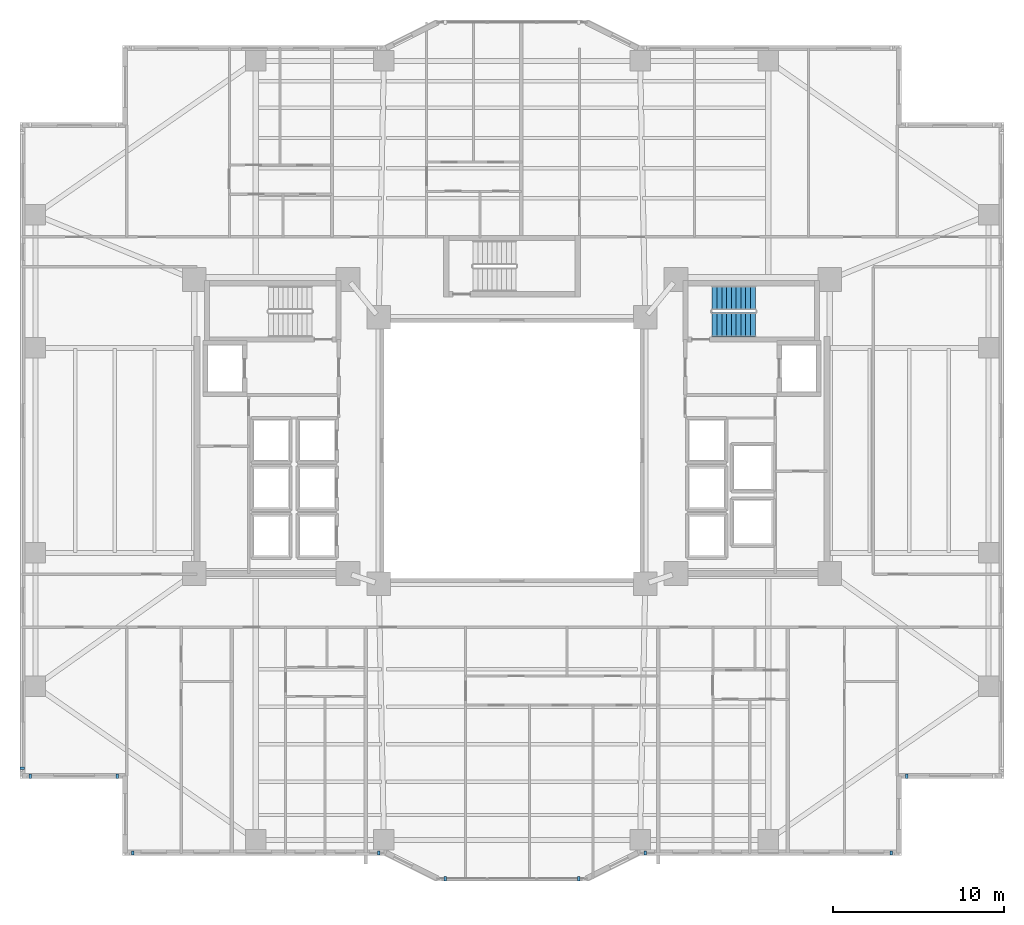
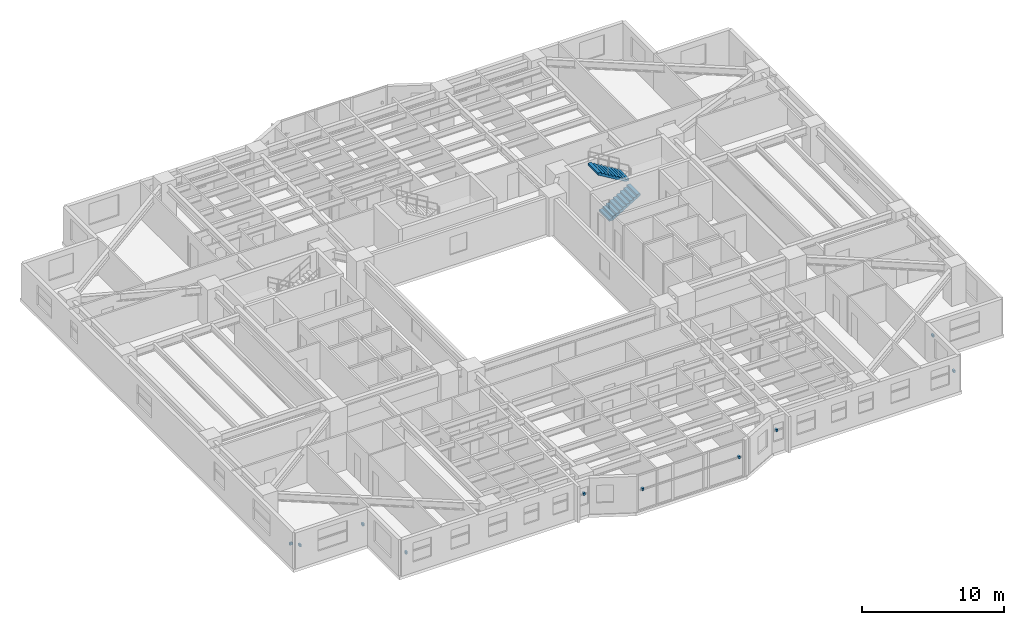
# One storey, part 16 of 21: 10 discrete accessories, 2 stair flights, 1 element without a shape of its own.
"""IFC4 building model written with IfcOpenShell, lengths in metres."""

from ifc_helpers import new_model, si_unit, direction, frame, origin, origin_2d, place, context, subcontext, project, spatial, polyline, rectangle, outline, extrude, material, type_object, element, aggregate, save


model = new_model("IFC4")

# Units and contexts
model_context = context("Model", 3, precision=1e-05, world=origin(), true_north=direction((0.0, 1.0)))
body_context = subcontext(model_context, "Body", "Model", "MODEL_VIEW")
ifc_project = project(units=[si_unit("LENGTHUNIT", "METRE"), si_unit("AREAUNIT", "SQUARE_METRE"), si_unit("VOLUMEUNIT", "CUBIC_METRE"), si_unit("PLANEANGLEUNIT", "RADIAN"), si_unit("MASSUNIT", "GRAM", prefix="KILO")], contexts=[model_context])

# Site, building, storey
site_placement = place(None, origin())
site = spatial("IfcSite", under=ifc_project, at=site_placement, CompositionType="ELEMENT")
building_placement = place(site_placement, origin())
building = spatial("IfcBuilding", under=site, at=building_placement, Name="Tarnavaz Court Tower", CompositionType="ELEMENT")
storey_placement = place(building_placement, frame((0.0, 0.0, 37.39990234375)))
storey = spatial("IfcBuildingStorey", under=building, at=storey_placement, Name="L09", CompositionType="ELEMENT", Elevation=37.39990234375)

# Stair, stair flights
ifc_material_1 = material(Name="Concrete C40/50", Category="concrete")
stair_type = type_object("IfcStairType", Name="ST-TWR-20R", PredefinedType="HALF_TURN_STAIR", material=ifc_material_1)
stair_placement = place(storey_placement, origin())
stair = element("IfcStair", 1, at=stair_placement, inside=storey, type_object=stair_type, Name="L09 East Core Pressurized Exit Stair ST-E1", PredefinedType="HALF_TURN_STAIR")
stair_flight_type = type_object("IfcStairFlightType", Name="SFL-RC-20R", PredefinedType="STRAIGHT", material=ifc_material_1)
stair_flight_1_placement = place(storey_placement, frame((11.719970703125, 7.360107421875, 0.0), z_axis=(0.0, 0.0, 1.0), x_axis=(1.0, 0.0, 0.0)))
stair_flight_1 = element("IfcStairFlight", 2, at=stair_flight_1_placement, type_object=stair_flight_type, Name="ST-E1 flight 1", NumberOfRisers=10, NumberOfTreads=9, PredefinedType="STRAIGHT", RiserHeight=0.1675, TreadLength=0.28, context=body_context, shape_type="SweptSolid", body=[
    extrude(outline(polyline([(0.0, 0.0), (0.0, 0.16748046875), (0.280029296875, 0.16748046875), (0.280029296875, 0.3349609375), (0.56005859375, 0.3349609375), (0.56005859375, 0.50244140625), (0.840087890625, 0.50244140625), (0.840087890625, 0.669921875), (1.1201171875, 0.669921875), (1.1201171875, 0.83740234375), (1.39990234375, 0.83740234375), (1.39990234375, 1.0048828125), (1.679931640625, 1.0048828125), (1.679931640625, 1.172607421875), (1.9599609375, 1.172607421875), (1.9599609375, 1.340087890625), (2.239990234375, 1.340087890625), (2.239990234375, 1.507568359375), (2.52001953125, 1.507568359375), (2.52001953125, 1.675048828125), (2.52001953125, 1.332763671875), (0.2919921875, 0.0), (0.0, 0.0)])), frame((0.0, 0.7099609375, 0.0), z_axis=(0.0, -1.0, 0.0), x_axis=(1.0, 0.0, 0.0)), (0.0, 0.0, 1.0), 1.419921875),
])
stair_flight_2_placement = place(storey_placement, frame((14.239990234375, 8.929931640625, 1.675048828125), z_axis=(0.0, 0.0, 1.0), x_axis=(-1.0, 0.0, 0.0)))
stair_flight_2 = element("IfcStairFlight", 3, at=stair_flight_2_placement, type_object=stair_flight_type, Name="ST-E1 flight 2", NumberOfRisers=10, NumberOfTreads=9, PredefinedType="STRAIGHT", RiserHeight=0.1675, TreadLength=0.28, context=body_context, shape_type="SweptSolid", body=[
    extrude(outline(polyline([(0.0, 0.0), (0.0, 0.16748046875), (0.280029296875, 0.16748046875), (0.280029296875, 0.3349609375), (0.56005859375, 0.3349609375), (0.56005859375, 0.50244140625), (0.840087890625, 0.50244140625), (0.840087890625, 0.669921875), (1.1201171875, 0.669921875), (1.1201171875, 0.83740234375), (1.39990234375, 0.83740234375), (1.39990234375, 1.0048828125), (1.679931640625, 1.0048828125), (1.679931640625, 1.172607421875), (1.9599609375, 1.172607421875), (1.9599609375, 1.340087890625), (2.239990234375, 1.340087890625), (2.239990234375, 1.507568359375), (2.52001953125, 1.507568359375), (2.52001953125, 1.675048828125), (2.52001953125, 1.332763671875), (0.2919921875, 0.0), (0.0, 0.0)])), frame((0.0, 0.7099609375, 0.0), z_axis=(0.0, -1.0, 0.0), x_axis=(1.0, 0.0, 0.0)), (0.0, 0.0, 1.0), 1.419921875),
])
aggregate(stair, [stair_flight_1, stair_flight_2])

# Discrete accessories
ifc_material_2 = material(Name="Anodised Aluminium 6063-T6", Category="aluminium")
discrete_accessory_type = type_object("IfcDiscreteAccessoryType", Name="DA-BRKT-ALU", PredefinedType="BRACKET", material=ifc_material_2)
for number, where, z_axis, x_axis, name in (
    (4, (-23.10009765625, -19.070068359375, 1.75), (0.0, 0.0, 1.0), (-1.0, 0.0, 0.0), "L09 Baguette Outrigger Bracket FBG01-1"),
    (5, (-28.199951171875, -19.070068359375, 1.75), (0.0, 0.0, 1.0), (-1.0, 0.0, 0.0), "L09 Baguette Outrigger Bracket FBG01-2"),
    (6, (-28.669921875, -18.60009765625, 1.75), (0.0, 0.0, 1.0), (0.0, 1.0, 0.0), "L09 Baguette Outrigger Bracket FBG02-1"),
    (7, (23.10009765625, -19.070068359375, 1.75), (0.0, 0.0, 1.0), (-1.0, 0.0, 0.0), "L09 Baguette Outrigger Bracket FBG13-2"),
    (8, (22.199951171875, -23.570068359375, 1.75), (0.0, 0.0, 1.0), (-1.0, 0.0, 0.0), "L09 Baguette Outrigger Bracket FBG15-1"),
    (9, (7.800048828125, -23.570068359375, 1.75), (0.0, 0.0, 1.0), (-1.0, 0.0, 0.0), "L09 Baguette Outrigger Bracket FBG15-2"),
    (10, (3.89990234375, -25.070068359375, 1.7001953125), (0.0, 0.0, 1.0), (-1.0, 0.0, 0.0), "L09 Baguette Outrigger Bracket PBG17-1"),
    (11, (-3.89990234375, -25.070068359375, 1.7001953125), (0.0, 0.0, 1.0), (-1.0, 0.0, 0.0), "L09 Baguette Outrigger Bracket PBG17-2"),
    (12, (-7.800048828125, -23.570068359375, 1.75), (0.0, 0.0, 1.0), (-1.0, 0.0, 0.0), "L09 Baguette Outrigger Bracket FBG19-1"),
    (13, (-22.199951171875, -23.570068359375, 1.75), (0.0, 0.0, 1.0), (-1.0, 0.0, 0.0), "L09 Baguette Outrigger Bracket FBG19-2"),
):
    element("IfcDiscreteAccessory", number, at=place(storey_placement, frame(where, z_axis=z_axis, x_axis=x_axis)), inside=storey, type_object=discrete_accessory_type, Name=name, PredefinedType="BRACKET", context=body_context, shape_type="SweptSolid", body=[
        extrude(rectangle(XDim=0.139892578125, YDim=0.239990234375, at=origin_2d()), origin(), (0.0, 0.0, 1.0), 0.199951171875),
    ])

save(model, "model.ifc")
